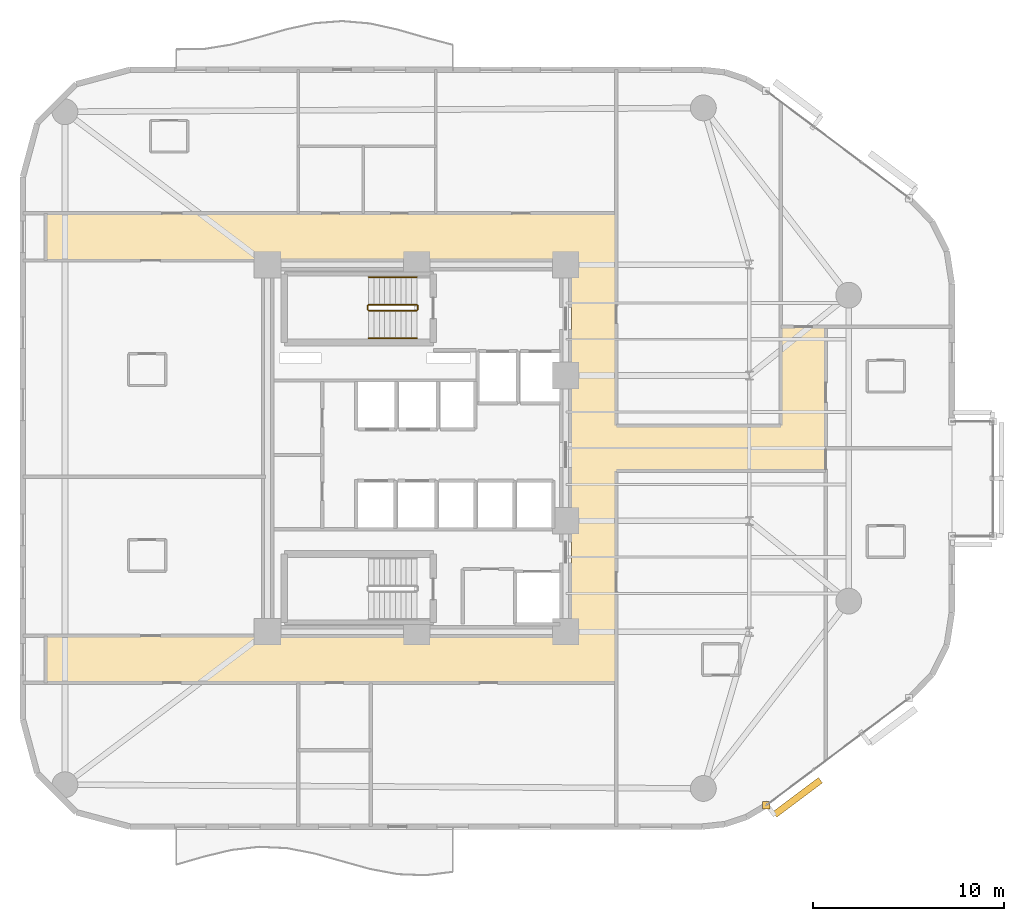
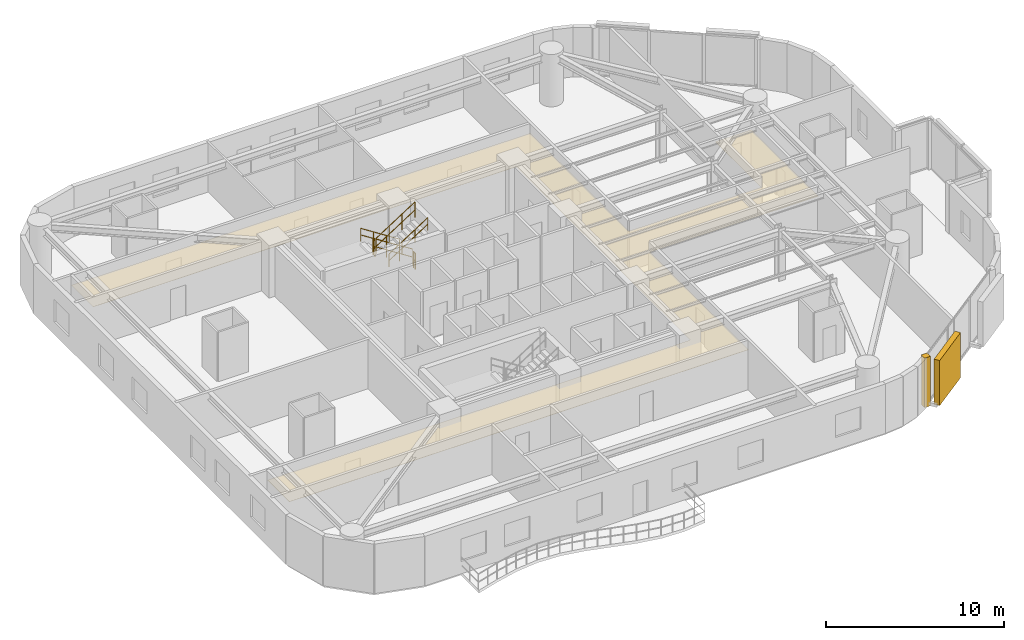
# One storey, part 13 of 14: 6 railings, 2 coverings, 1 shading device.
"""IFC4 building model written with IfcOpenShell, lengths in metres."""

from ifc_helpers import new_model, si_unit, direction, frame, origin, origin_2d, place, context, subcontext, project, spatial, polyline, rectangle, circle, outline, extrude, material, layer, layer_set, type_object, element, save


model = new_model("IFC4")

# Units and contexts
model_context = context("Model", 3, precision=1e-05, world=origin(), true_north=direction((0.0, 1.0)))
body_context = subcontext(model_context, "Body", "Model", "MODEL_VIEW")
ifc_project = project(units=[si_unit("LENGTHUNIT", "METRE"), si_unit("AREAUNIT", "SQUARE_METRE"), si_unit("VOLUMEUNIT", "CUBIC_METRE"), si_unit("PLANEANGLEUNIT", "RADIAN"), si_unit("MASSUNIT", "GRAM", prefix="KILO")], contexts=[model_context])

# Site, building, storey
site_placement = place(None, origin())
site = spatial("IfcSite", under=ifc_project, at=site_placement, CompositionType="ELEMENT")
building_placement = place(site_placement, origin())
building = spatial("IfcBuilding", under=site, at=building_placement, Name="An Khanh Terracotta Commons", CompositionType="ELEMENT")
storey_placement = place(building_placement, frame((0.0, 0.0, 104.300048828125)))
storey = spatial("IfcBuildingStorey", under=building, at=storey_placement, Name="L27", CompositionType="ELEMENT", Elevation=104.300048828125)

# Coverings
ifc_material_1 = material(Name="Perforated Mineral-Fibre Acoustic Tile")
ifc_layer_1 = layer(ifc_material_1, 0.02001953125, Name="Perforated Mineral-Fibre Acoustic Tile")
ifc_layer_set_1 = layer_set([ifc_layer_1], Name="Perforated Mineral-Fibre Acoustic Tile")
covering_type_1 = type_object("IfcCoveringType", Name="CEIL-ACOUSTIC-18", PredefinedType="CEILING", material=ifc_layer_set_1)
covering_1_placement = place(storey_placement, frame((0.0, 0.0, 2.64990234375)))
element("IfcCovering", 1, at=covering_1_placement, inside=storey, type_object=covering_type_1, Name="L27 Corridor Ceiling", PredefinedType="CEILING", context=body_context, shape_type="SweptSolid", body=[
    extrude(outline(polyline([(10.0, 11.719970703125), (10.0, 14.179931640625), (37.5, 14.179931640625), (37.5, 33.820068359375), (10.0, 33.820068359375), (10.0, 36.280029296875), (37.5, 36.280029296875), (39.85009765625, 36.280029296875), (39.85009765625, 33.820068359375), (39.85009765625, 25.179931640625), (48.449951171875, 25.179931640625), (48.449951171875, 30.35009765625), (50.800048828125, 30.35009765625), (50.800048828125, 25.179931640625), (50.800048828125, 22.820068359375), (48.449951171875, 22.820068359375), (39.85009765625, 22.820068359375), (39.85009765625, 14.179931640625), (39.85009765625, 11.719970703125), (37.5, 11.719970703125), (10.0, 11.719970703125)])), origin(), (0.0, 0.0, 1.0), 0.02001953125),
])
ifc_material_2 = material(Name="Fired Terracotta Rainscreen Cladding", Category="masonry")
ifc_layer_2 = layer(ifc_material_2, 0.080078125, Name="Fired Terracotta Rainscreen Cladding")
ifc_layer_set_2 = layer_set([ifc_layer_2], Name="Fired Terracotta Rainscreen Cladding")
covering_type_2 = type_object("IfcCoveringType", Name="COV-JAMB-TERRA", PredefinedType="CLADDING", material=ifc_layer_set_2)
covering_2_placement = place(storey_placement, frame((47.693115234375, 5.320068359375, 0.0), z_axis=(0.0, 0.0, 1.0), x_axis=(1.0, 0.0, 0.0)))
element("IfcCovering", 2, at=covering_2_placement, inside=storey, type_object=covering_type_2, Name="L27 CW-02 Curtain-Wall Jamb Closure JA", PredefinedType="CLADDING", context=body_context, shape_type="SweptSolid", body=[
    extrude(rectangle(XDim=0.3798828125, YDim=0.3798828125, at=origin_2d()), origin(), (0.0, 0.0, 1.0), 3.39990234375),
])

# Railings
ifc_material_3 = material(Name="Brushed Stainless Steel 316", Category="steel")
railing_type_1 = type_object("IfcRailingType", Name="RAIL-HANDRAIL-900", PredefinedType="HANDRAIL", material=ifc_material_3)
railing_1_placement = place(storey_placement, frame((29.409912109375, 32.949951171875, 0.179931640625)))
element("IfcRailing", 3, at=railing_1_placement, inside=storey, type_object=railing_type_1, Name="L27 ST-01 stair handrail 1", PredefinedType="HANDRAIL", context=body_context, shape_type="SweptSolid", body=[
    extrude(circle(Radius=0.02392578125, at=origin_2d()), frame((0.0, 0.0, 0.8759765625), z_axis=(-0.841162588446, 0.0, 0.540782303519), x_axis=(0.0, -1.0, 0.0)), (0.0, 0.0, 1.0), 2.995849609375),
    extrude(circle(Radius=0.02392578125, at=origin_2d()), frame((0.0, 0.0, 0.42578125), z_axis=(-0.841162588446, 0.0, 0.540782303519), x_axis=(0.0, -1.0, 0.0)), (0.0, 0.0, 1.0), 2.995849609375),
    extrude(circle(Radius=0.02099609375, at=origin_2d()), origin(), (0.0, 0.0, 1.0), 0.851806640625),
    extrude(circle(Radius=0.02099609375, at=origin_2d()), frame((-0.840087890625, 0.0, 0.5400390625)), (0.0, 0.0, 1.0), 0.851806640625),
    extrude(circle(Radius=0.02099609375, at=origin_2d()), frame((-1.679931640625, 0.0, 1.080078125)), (0.0, 0.0, 1.0), 0.851806640625),
    extrude(circle(Radius=0.02099609375, at=origin_2d()), frame((-2.52001953125, 0.0, 1.6201171875)), (0.0, 0.0, 1.0), 0.851806640625),
])
railing_2_placement = place(storey_placement, frame((26.889892578125, 29.75, 1.97998046875)))
element("IfcRailing", 4, at=railing_2_placement, inside=storey, type_object=railing_type_1, Name="L27 ST-01 stair handrail 2", PredefinedType="HANDRAIL", context=body_context, shape_type="SweptSolid", body=[
    extrude(circle(Radius=0.02392578125, at=origin_2d()), frame((0.0, 0.0, 0.8759765625), z_axis=(0.841199657755, 0.0, 0.540724639528), x_axis=(0.0, 1.0, 0.0)), (0.0, 0.0, 1.0), 2.995849609375),
    extrude(circle(Radius=0.02392578125, at=origin_2d()), frame((0.0, 0.0, 0.42578125), z_axis=(0.841199657755, 0.0, 0.540724639528), x_axis=(0.0, 1.0, 0.0)), (0.0, 0.0, 1.0), 2.995849609375),
    extrude(circle(Radius=0.02099609375, at=origin_2d()), origin(), (0.0, 0.0, 1.0), 0.851806640625),
    extrude(circle(Radius=0.02099609375, at=origin_2d()), frame((0.840087890625, 0.0, 0.5400390625)), (0.0, 0.0, 1.0), 0.851806640625),
    extrude(circle(Radius=0.02099609375, at=origin_2d()), frame((1.679931640625, 0.0, 1.079833984375)), (0.0, 0.0, 1.0), 0.851806640625),
    extrude(circle(Radius=0.02099609375, at=origin_2d()), frame((2.52001953125, 0.0, 1.619873046875)), (0.0, 0.0, 1.0), 0.851806640625),
])
ifc_material_4 = material(Name="Powder-Coated Steel S355J2", Category="steel")
railing_type_2 = type_object("IfcRailingType", Name="RAIL-STAIR-GUARD-1100", PredefinedType="BALUSTRADE", material=ifc_material_4)
railing_3_placement = place(storey_placement, frame((29.409912109375, 31.5, 0.179931640625)))
element("IfcRailing", 5, at=railing_3_placement, inside=storey, type_object=railing_type_2, Name="L27 ST-01 stair guard 1", PredefinedType="BALUSTRADE", context=body_context, shape_type="SweptSolid", body=[
    extrude(circle(Radius=0.02392578125, at=origin_2d()), frame((0.0, 0.0, 1.076171875), z_axis=(-0.841162588446, 0.0, 0.540782303519), x_axis=(0.0, -1.0, 0.0)), (0.0, 0.0, 1.0), 2.995849609375),
    extrude(circle(Radius=0.02392578125, at=origin_2d()), frame((0.0, 0.0, 0.52587890625), z_axis=(-0.841162588446, 0.0, 0.540782303519), x_axis=(0.0, -1.0, 0.0)), (0.0, 0.0, 1.0), 2.995849609375),
    extrude(circle(Radius=0.02099609375, at=origin_2d()), origin(), (0.0, 0.0, 1.0), 1.052001953125),
    extrude(circle(Radius=0.02099609375, at=origin_2d()), frame((-0.840087890625, 0.0, 0.5400390625)), (0.0, 0.0, 1.0), 1.052001953125),
    extrude(circle(Radius=0.02099609375, at=origin_2d()), frame((-1.679931640625, 0.0, 1.080078125)), (0.0, 0.0, 1.0), 1.052001953125),
    extrude(circle(Radius=0.02099609375, at=origin_2d()), frame((-2.52001953125, 0.0, 1.6201171875)), (0.0, 0.0, 1.0), 1.052001953125),
])
railing_4_placement = place(storey_placement, frame((26.840087890625, 31.449951171875, 1.800048828125)))
element("IfcRailing", 6, at=railing_4_placement, inside=storey, type_object=railing_type_2, Name="L27 ST-01 stair guard 2", PredefinedType="BALUSTRADE", context=body_context, shape_type="SweptSolid", body=[
    extrude(circle(Radius=0.02392578125, at=origin_2d()), frame((0.0, 0.0, 1.076171875), z_axis=(0.0, -1.0, 0.0), x_axis=(1.0, 0.0, 0.0)), (0.0, 0.0, 1.0), 0.199951171875),
    extrude(circle(Radius=0.02392578125, at=origin_2d()), frame((0.0, 0.0, 0.52587890625), z_axis=(0.0, -1.0, 0.0), x_axis=(1.0, 0.0, 0.0)), (0.0, 0.0, 1.0), 0.199951171875),
    extrude(circle(Radius=0.02099609375, at=origin_2d()), origin(), (0.0, 0.0, 1.0), 1.052001953125),
    extrude(circle(Radius=0.02099609375, at=origin_2d()), frame((0.0, -0.199951171875, 0.0)), (0.0, 0.0, 1.0), 1.052001953125),
])
railing_5_placement = place(storey_placement, frame((26.889892578125, 31.199951171875, 1.97998046875)))
element("IfcRailing", 7, at=railing_5_placement, inside=storey, type_object=railing_type_2, Name="L27 ST-01 stair guard 3", PredefinedType="BALUSTRADE", context=body_context, shape_type="SweptSolid", body=[
    extrude(circle(Radius=0.02392578125, at=origin_2d()), frame((0.0, 0.0, 1.076171875), z_axis=(0.841199657755, 0.0, 0.540724639528), x_axis=(0.0, 1.0, 0.0)), (0.0, 0.0, 1.0), 2.995849609375),
    extrude(circle(Radius=0.02392578125, at=origin_2d()), frame((0.0, 0.0, 0.52587890625), z_axis=(0.841199657755, 0.0, 0.540724639528), x_axis=(0.0, 1.0, 0.0)), (0.0, 0.0, 1.0), 2.995849609375),
    extrude(circle(Radius=0.02099609375, at=origin_2d()), origin(), (0.0, 0.0, 1.0), 1.052001953125),
    extrude(circle(Radius=0.02099609375, at=origin_2d()), frame((0.840087890625, 0.0, 0.5400390625)), (0.0, 0.0, 1.0), 1.052001953125),
    extrude(circle(Radius=0.02099609375, at=origin_2d()), frame((1.679931640625, 0.0, 1.079833984375)), (0.0, 0.0, 1.0), 1.052001953125),
    extrude(circle(Radius=0.02099609375, at=origin_2d()), frame((2.52001953125, 0.0, 1.619873046875)), (0.0, 0.0, 1.0), 1.052001953125),
])
railing_6_placement = place(storey_placement, frame((29.4599609375, 31.449951171875, 0.0)))
element("IfcRailing", 8, at=railing_6_placement, inside=storey, type_object=railing_type_2, Name="L27 ST-01 stair guard 4", PredefinedType="BALUSTRADE", context=body_context, shape_type="SweptSolid", body=[
    extrude(circle(Radius=0.02392578125, at=origin_2d()), frame((0.0, 0.0, 1.076171875), z_axis=(0.0, -1.0, 0.0), x_axis=(1.0, 0.0, 0.0)), (0.0, 0.0, 1.0), 0.199951171875),
    extrude(circle(Radius=0.02392578125, at=origin_2d()), frame((0.0, 0.0, 0.52587890625), z_axis=(0.0, -1.0, 0.0), x_axis=(1.0, 0.0, 0.0)), (0.0, 0.0, 1.0), 0.199951171875),
    extrude(circle(Radius=0.02099609375, at=origin_2d()), origin(), (0.0, 0.0, 1.0), 1.052001953125),
    extrude(circle(Radius=0.02099609375, at=origin_2d()), frame((0.0, -0.199951171875, 0.0)), (0.0, 0.0, 1.0), 1.052001953125),
])

# Shading device
ifc_material_5 = material(Name="Extruded Fired Terracotta", Category="masonry")
shading_device_type = type_object("IfcShadingDeviceType", Name="Terracotta Baguette Screen Assembly", PredefinedType="USERDEFINED", material=ifc_material_5)
shading_device_placement = place(storey_placement, frame((49.326904296875, 5.73291015625, 0.14990234375), z_axis=(0.0, 0.0, 1.0), x_axis=(0.800012856594, 0.599982857492, 0.0)))
element("IfcShadingDevice", 9, at=shading_device_placement, inside=storey, type_object=shading_device_type, Name="L27 Terracotta Baguette Screen 1", ObjectType="BAGUETTE", PredefinedType="USERDEFINED", context=body_context, shape_type="SweptSolid", body=[
    extrude(rectangle(XDim=2.990966796875, YDim=0.35009765625, at=origin_2d()), origin(), (0.0, 0.0, 1.0), 3.10009765625),
])

save(model, "model.ifc")
